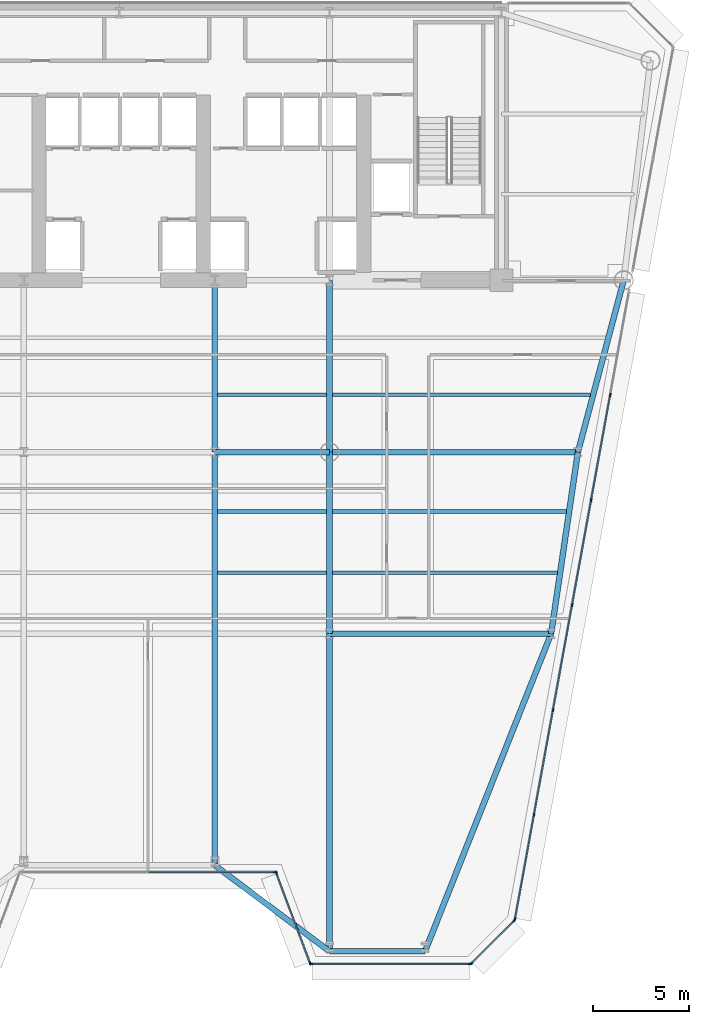
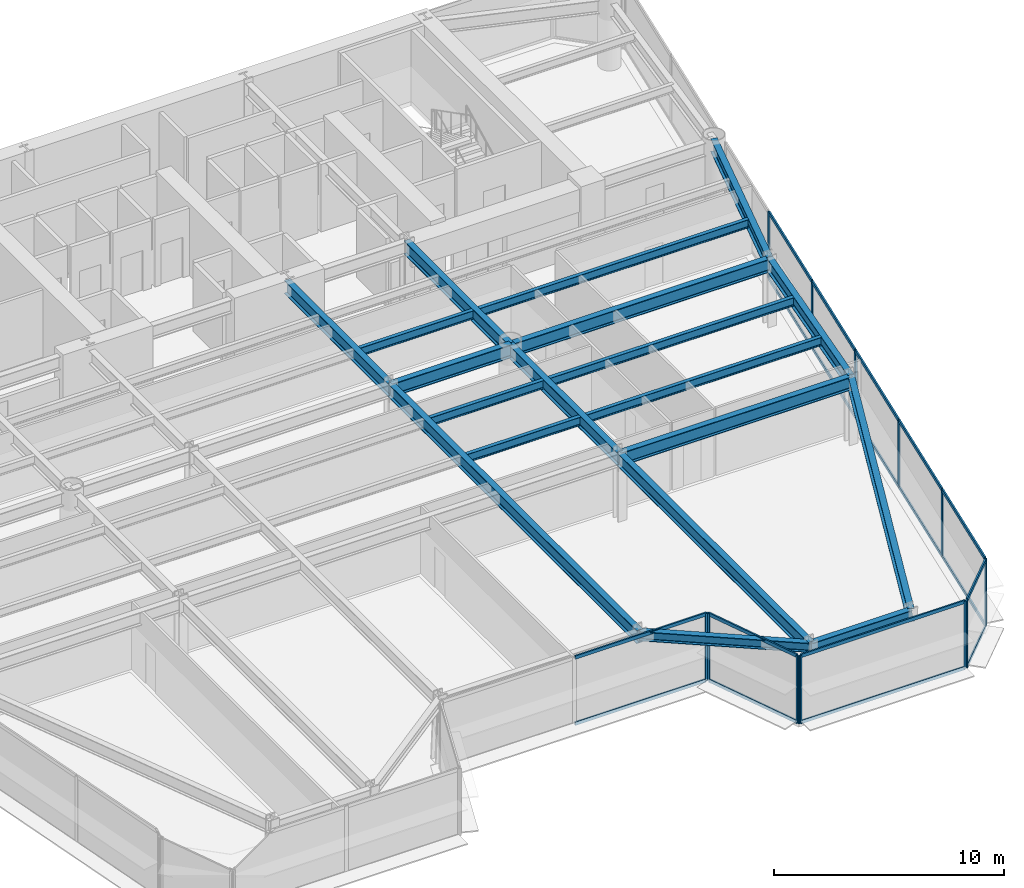
# One storey, part 4 of 14: 31 members, 19 beams, 5 elements without a shape of their own.
"""IFC4 building model written with IfcOpenShell, lengths in metres."""

from ifc_helpers import new_model, si_unit, direction, frame, origin, origin_2d, place, context, subcontext, project, spatial, rectangle, i_section, extrude, source, transform, mapped, material, layer, layer_set, material_profile, profile_set, type_object, element, aggregate, save


model = new_model("IFC4")

# Units and contexts
model_context = context("Model", 3, precision=1e-05, world=origin(), true_north=direction((0.0, 1.0)))
body_context = subcontext(model_context, "Body", "Model", "MODEL_VIEW")
ifc_project = project(units=[si_unit("LENGTHUNIT", "METRE"), si_unit("AREAUNIT", "SQUARE_METRE"), si_unit("VOLUMEUNIT", "CUBIC_METRE"), si_unit("PLANEANGLEUNIT", "RADIAN"), si_unit("MASSUNIT", "GRAM", prefix="KILO")], contexts=[model_context])

# Site, building, storey
site_placement = place(None, origin())
site = spatial("IfcSite", under=ifc_project, at=site_placement, CompositionType="ELEMENT")
building_placement = place(site_placement, origin())
building = spatial("IfcBuilding", under=site, at=building_placement, Name="Vaeldorn Concourse Tower", CompositionType="ELEMENT")
storey_placement = place(building_placement, frame((0.0, 0.0, 133.800048828125)))
storey = spatial("IfcBuildingStorey", under=building, at=storey_placement, Name="L34", CompositionType="ELEMENT", Elevation=133.800048828125)

# Beams
ifc_material_1 = material(Name="Steel S355", Category="steel")
ifc_material_profile_1 = material_profile(ifc_material_1, i_section(OverallWidth=0.300048828125, OverallDepth=0.699951171875, WebThickness=0.01708984375, FlangeThickness=0.031982421875, FilletRadius=0.027099609375, at=origin_2d()), Name="HEB 700")
ifc_profile_set_1 = profile_set([ifc_material_profile_1], Name="Steel S355")
beam_type_1 = type_object("IfcBeamType", Name="BM-PG-HEB700", PredefinedType="BEAM", material=ifc_profile_set_1)
shared_shape_1 = source(origin(), body_context, "Body", "SweptSolid", [
    extrude(i_section(OverallWidth=0.300048828125, OverallDepth=0.699951171875, WebThickness=0.01708984375, FlangeThickness=0.031982421875, FilletRadius=0.027099609375, at=origin_2d()), origin(), (0.0, 0.0, 1.0), 6.0),
])
beam_1_placement = place(storey_placement, frame((39.0, 27.5, 3.22998046875), z_axis=(1.0, 0.0, 0.0), x_axis=(0.0, 1.0, 0.0)))
element("IfcBeam", 1, at=beam_1_placement, inside=storey, type_object=beam_type_1, Name="Beam BM-L34-C-TW3-C-TW4", PredefinedType="BEAM", context=body_context, shape_type="MappedRepresentation", body=[
    mapped(shared_shape_1, transform((0.0, 0.0, 0.0), scale=1.0)),
])
shared_shape_2 = source(origin(), body_context, "Body", "SweptSolid", [
    extrude(i_section(OverallWidth=0.300048828125, OverallDepth=0.699951171875, WebThickness=0.01708984375, FlangeThickness=0.031982421875, FilletRadius=0.027099609375, at=origin_2d()), origin(), (0.0, 0.0, 1.0), 9.0),
])
for number, where, z_axis, x_axis, name in (
    (2, (39.0, 27.5, 3.22998046875), (0.0, 1.0, 0.0), (-1.0, 0.0, 0.0), "Beam BM-L34-C-TW3-C-FC4"),
    (3, (45.0, 27.5, 3.22998046875), (0.0, 1.0, 0.0), (-1.0, 0.0, 0.0), "Beam BM-L34-C-TW4-C-FC5"),
):
    element("IfcBeam", number, at=place(storey_placement, frame(where, z_axis=z_axis, x_axis=x_axis)), inside=storey, type_object=beam_type_1, Name=name, PredefinedType="BEAM", context=body_context, shape_type="MappedRepresentation", body=[
        mapped(shared_shape_2, transform((0.0, 0.0, 0.0), scale=1.0)),
    ])
shared_shape_3 = source(origin(), body_context, "Body", "SweptSolid", [
    extrude(i_section(OverallWidth=0.300048828125, OverallDepth=0.699951171875, WebThickness=0.01708984375, FlangeThickness=0.031982421875, FilletRadius=0.027099609375, at=origin_2d()), origin(), (0.0, 0.0, 1.0), 9.314453125),
])
beam_2_placement = place(storey_placement, frame((60.39990234375, 36.5, 3.22998046875), z_axis=(-0.257652862255, -0.966237549763, 0.0), x_axis=(0.966237549763, -0.257652862255, 0.0)))
element("IfcBeam", 4, at=beam_2_placement, inside=storey, type_object=beam_type_1, Name="Beam BM-L34-C-NE2-C-FLE1", PredefinedType="BEAM", context=body_context, shape_type="MappedRepresentation", body=[
    mapped(shared_shape_3, transform((0.0, 0.0, 0.0), scale=1.0)),
])
shared_shape_4 = source(origin(), body_context, "Body", "SweptSolid", [
    extrude(i_section(OverallWidth=0.300048828125, OverallDepth=0.699951171875, WebThickness=0.01708984375, FlangeThickness=0.031982421875, FilletRadius=0.027099609375, at=origin_2d()), origin(), (0.0, 0.0, 1.0), 13.0),
])
beam_3_placement = place(storey_placement, frame((45.0, 27.5, 3.22998046875), z_axis=(1.0, 0.0, 0.0), x_axis=(0.0, 1.0, 0.0)))
element("IfcBeam", 5, at=beam_3_placement, inside=storey, type_object=beam_type_1, Name="Beam BM-L34-C-TW4-C-FLE1", PredefinedType="BEAM", context=body_context, shape_type="MappedRepresentation", body=[
    mapped(shared_shape_4, transform((0.0, 0.0, 0.0), scale=1.0)),
])
ifc_material_profile_2 = material_profile(ifc_material_1, i_section(OverallWidth=0.300048828125, OverallDepth=0.5, WebThickness=0.014404296875, FlangeThickness=0.028076171875, FilletRadius=0.027099609375, at=origin_2d()), Name="HEB 500")
ifc_profile_set_2 = profile_set([ifc_material_profile_2], Name="Steel S355")
beam_type_2 = type_object("IfcBeamType", Name="BM-SP-HEB500", PredefinedType="SPANDREL", material=ifc_profile_set_2)
shared_shape_5 = source(origin(), body_context, "Body", "SweptSolid", [
    extrude(i_section(OverallWidth=0.300048828125, OverallDepth=0.5, WebThickness=0.014404296875, FlangeThickness=0.028076171875, FilletRadius=0.027099609375, at=origin_2d()), origin(), (0.0, 0.0, 1.0), 5.0),
])
beam_4_placement = place(storey_placement, frame((45.0, 1.378173828125, 3.329833984375), z_axis=(1.0, 0.0, 0.0), x_axis=(0.0, 1.0, 0.0)))
element("IfcBeam", 6, at=beam_4_placement, inside=storey, type_object=beam_type_2, Name="Beam BM-L34-C-SF5-C-SF6", PredefinedType="SPANDREL", context=body_context, shape_type="MappedRepresentation", body=[
    mapped(shared_shape_5, transform((0.0, 0.0, 0.0), scale=1.0)),
])
shared_shape_6 = source(origin(), body_context, "Body", "SweptSolid", [
    extrude(i_section(OverallWidth=0.300048828125, OverallDepth=0.5, WebThickness=0.014404296875, FlangeThickness=0.028076171875, FilletRadius=0.027099609375, at=origin_2d()), origin(), (0.0, 0.0, 1.0), 7.5),
])
beam_5_placement = place(storey_placement, frame((39.0, 5.878173828125, 3.329833984375), z_axis=(0.8, -0.6, 0.0), x_axis=(0.6, 0.8, 0.0)))
element("IfcBeam", 7, at=beam_5_placement, inside=storey, type_object=beam_type_2, Name="Beam BM-L34-C-SF4-C-SF5", PredefinedType="SPANDREL", context=body_context, shape_type="MappedRepresentation", body=[
    mapped(shared_shape_6, transform((0.0, 0.0, 0.0), scale=1.0)),
])
shared_shape_7 = source(origin(), body_context, "Body", "SweptSolid", [
    extrude(i_section(OverallWidth=0.300048828125, OverallDepth=0.699951171875, WebThickness=0.01708984375, FlangeThickness=0.031982421875, FilletRadius=0.027099609375, at=origin_2d()), origin(), (0.0, 0.0, 1.0), 9.6025390625),
])
beam_6_placement = place(storey_placement, frame((58.0, 27.5, 3.22998046875), z_axis=(-0.145783835977, -0.989316467652, 0.0), x_axis=(0.989316467652, -0.145783835977, 0.0)))
element("IfcBeam", 8, at=beam_6_placement, inside=storey, type_object=beam_type_1, Name="Beam BM-L34-C-FLE1-C-FLE2", PredefinedType="BEAM", context=body_context, shape_type="MappedRepresentation", body=[
    mapped(shared_shape_7, transform((0.0, 0.0, 0.0), scale=1.0)),
])
shared_shape_8 = source(origin(), body_context, "Body", "SweptSolid", [
    extrude(i_section(OverallWidth=0.300048828125, OverallDepth=0.699951171875, WebThickness=0.01708984375, FlangeThickness=0.031982421875, FilletRadius=0.027099609375, at=origin_2d()), origin(), (0.0, 0.0, 1.0), 11.60009765625),
])
beam_7_placement = place(storey_placement, frame((45.0, 18.0, 3.22998046875), z_axis=(1.0, 0.0, 0.0), x_axis=(0.0, 1.0, 0.0)))
element("IfcBeam", 9, at=beam_7_placement, inside=storey, type_object=beam_type_1, Name="Beam BM-L34-C-TW6-C-FLE2", PredefinedType="BEAM", context=body_context, shape_type="MappedRepresentation", body=[
    mapped(shared_shape_8, transform((0.0, 0.0, 0.0), scale=1.0)),
])
shared_shape_9 = source(origin(), body_context, "Body", "SweptSolid", [
    extrude(i_section(OverallWidth=0.300048828125, OverallDepth=0.699951171875, WebThickness=0.01708984375, FlangeThickness=0.031982421875, FilletRadius=0.027099609375, at=origin_2d()), origin(), (0.0, 0.0, 1.0), 9.5),
])
beam_8_placement = place(storey_placement, frame((45.0, 18.0, 3.22998046875), z_axis=(0.0, 1.0, 0.0), x_axis=(-1.0, 0.0, 0.0)))
element("IfcBeam", 10, at=beam_8_placement, inside=storey, type_object=beam_type_1, Name="Beam BM-L34-C-TW6-C-TW4", PredefinedType="BEAM", context=body_context, shape_type="MappedRepresentation", body=[
    mapped(shared_shape_9, transform((0.0, 0.0, 0.0), scale=1.0)),
])
ifc_material_profile_3 = material_profile(ifc_material_1, i_section(OverallWidth=0.18994140625, OverallDepth=0.449951171875, WebThickness=0.009521484375, FlangeThickness=0.0146484375, FilletRadius=0.02099609375, at=origin_2d()), Name="IPE 450")
ifc_profile_set_3 = profile_set([ifc_material_profile_3], Name="Steel S355")
beam_type_3 = type_object("IfcBeamType", Name="BM-JS-IPE450", PredefinedType="JOIST", material=ifc_profile_set_3)
shared_shape_10 = source(origin(), body_context, "Body", "SweptSolid", [
    extrude(i_section(OverallWidth=0.18994140625, OverallDepth=0.449951171875, WebThickness=0.009521484375, FlangeThickness=0.0146484375, FilletRadius=0.02099609375, at=origin_2d()), origin(), (0.0, 0.0, 1.0), 5.7001953125),
])
for number, where, z_axis, x_axis, name in (
    (11, (39.14990234375, 21.199951171875, 3.35498046875), (1.0, 0.0, 0.0), (0.0, 1.0, 0.0), "Beam JS-L34-E2-212"),
    (12, (39.14990234375, 24.39990234375, 3.35498046875), (1.0, 0.0, 0.0), (0.0, 1.0, 0.0), "Beam JS-L34-E2-244"),
    (13, (39.14990234375, 30.5, 3.35498046875), (1.0, 0.0, 0.0), (0.0, 1.0, 0.0), "Beam JS-L34-E2-305"),
):
    element("IfcBeam", number, at=place(storey_placement, frame(where, z_axis=z_axis, x_axis=x_axis)), inside=storey, type_object=beam_type_3, Name=name, PredefinedType="JOIST", context=body_context, shape_type="MappedRepresentation", body=[
        mapped(shared_shape_10, transform((0.0, 0.0, 0.0), scale=1.0)),
    ])
shared_shape_11 = source(origin(), body_context, "Body", "SweptSolid", [
    extrude(i_section(OverallWidth=0.300048828125, OverallDepth=0.699951171875, WebThickness=0.01708984375, FlangeThickness=0.031982421875, FilletRadius=0.027099609375, at=origin_2d()), origin(), (0.0, 0.0, 1.0), 17.88427734375),
])
beam_9_placement = place(storey_placement, frame((50.0, 1.378173828125, 3.22998046875), z_axis=(0.369045260184, 0.92941142447, 0.0), x_axis=(-0.92941142447, 0.369045260184, 0.0)))
element("IfcBeam", 14, at=beam_9_placement, inside=storey, type_object=beam_type_1, Name="Beam BM-L34-C-SF6-C-FLE2", PredefinedType="BEAM", context=body_context, shape_type="MappedRepresentation", body=[
    mapped(shared_shape_11, transform((0.0, 0.0, 0.0), scale=1.0)),
])
shared_shape_12 = source(origin(), body_context, "Body", "SweptSolid", [
    extrude(i_section(OverallWidth=0.300048828125, OverallDepth=0.699951171875, WebThickness=0.01708984375, FlangeThickness=0.031982421875, FilletRadius=0.027099609375, at=origin_2d()), origin(), (0.0, 0.0, 1.0), 16.621826171875),
])
beam_10_placement = place(storey_placement, frame((45.0, 1.378173828125, 3.22998046875), z_axis=(0.0, 1.0, 0.0), x_axis=(-1.0, 0.0, 0.0)))
element("IfcBeam", 15, at=beam_10_placement, inside=storey, type_object=beam_type_1, Name="Beam BM-L34-C-SF5-C-TW6", PredefinedType="BEAM", context=body_context, shape_type="MappedRepresentation", body=[
    mapped(shared_shape_12, transform((0.0, 0.0, 0.0), scale=1.0)),
])
shared_shape_13 = source(origin(), body_context, "Body", "SweptSolid", [
    extrude(i_section(OverallWidth=0.300048828125, OverallDepth=0.699951171875, WebThickness=0.01708984375, FlangeThickness=0.031982421875, FilletRadius=0.027099609375, at=origin_2d()), origin(), (0.0, 0.0, 1.0), 21.621826171875),
])
beam_11_placement = place(storey_placement, frame((39.0, 5.878173828125, 3.22998046875), z_axis=(0.0, 1.0, 0.0), x_axis=(-1.0, 0.0, 0.0)))
element("IfcBeam", 16, at=beam_11_placement, inside=storey, type_object=beam_type_1, Name="Beam BM-L34-C-SF4-C-TW3", PredefinedType="BEAM", context=body_context, shape_type="MappedRepresentation", body=[
    mapped(shared_shape_13, transform((0.0, 0.0, 0.0), scale=1.0)),
])
shared_shape_14 = source(origin(), body_context, "Body", "SweptSolid", [
    extrude(i_section(OverallWidth=0.18994140625, OverallDepth=0.449951171875, WebThickness=0.009521484375, FlangeThickness=0.0146484375, FilletRadius=0.02099609375, at=origin_2d()), origin(), (0.0, 0.0, 1.0), 11.771728515625),
])
beam_12_placement = place(storey_placement, frame((45.14990234375, 21.199951171875, 3.35498046875), z_axis=(1.0, 0.0, 0.0), x_axis=(0.0, 1.0, 0.0)))
element("IfcBeam", 17, at=beam_12_placement, inside=storey, type_object=beam_type_3, Name="Beam JS-L34-E1-212", PredefinedType="JOIST", context=body_context, shape_type="MappedRepresentation", body=[
    mapped(shared_shape_14, transform((0.0, 0.0, 0.0), scale=1.0)),
])
shared_shape_15 = source(origin(), body_context, "Body", "SweptSolid", [
    extrude(i_section(OverallWidth=0.18994140625, OverallDepth=0.449951171875, WebThickness=0.009521484375, FlangeThickness=0.0146484375, FilletRadius=0.02099609375, at=origin_2d()), origin(), (0.0, 0.0, 1.0), 12.243408203125),
])
beam_13_placement = place(storey_placement, frame((45.14990234375, 24.39990234375, 3.35498046875), z_axis=(1.0, 0.0, 0.0), x_axis=(0.0, 1.0, 0.0)))
element("IfcBeam", 18, at=beam_13_placement, inside=storey, type_object=beam_type_3, Name="Beam JS-L34-E1-244", PredefinedType="JOIST", context=body_context, shape_type="MappedRepresentation", body=[
    mapped(shared_shape_15, transform((0.0, 0.0, 0.0), scale=1.0)),
])
shared_shape_16 = source(origin(), body_context, "Body", "SweptSolid", [
    extrude(i_section(OverallWidth=0.18994140625, OverallDepth=0.449951171875, WebThickness=0.009521484375, FlangeThickness=0.0146484375, FilletRadius=0.02099609375, at=origin_2d()), origin(), (0.0, 0.0, 1.0), 13.5),
])
beam_14_placement = place(storey_placement, frame((45.14990234375, 30.5, 3.35498046875), z_axis=(1.0, 0.0, 0.0), x_axis=(0.0, 1.0, 0.0)))
element("IfcBeam", 19, at=beam_14_placement, inside=storey, type_object=beam_type_3, Name="Beam JS-L34-E1-305", PredefinedType="JOIST", context=body_context, shape_type="MappedRepresentation", body=[
    mapped(shared_shape_16, transform((0.0, 0.0, 0.0), scale=1.0)),
])

# Curtain wall, members
ifc_material_2 = material(Name="Anodised Bronze Aluminium", Category="aluminium")
ifc_layer = layer(ifc_material_2, 0.199951171875)
ifc_layer_set = layer_set([ifc_layer], Name="Anodised Bronze Aluminium")
curtain_wall_type = type_object("IfcCurtainWallType", Name="CW-SYS-02", PredefinedType="NOTDEFINED", material=ifc_layer_set)
curtain_wall_1_placement = place(storey_placement, origin())
curtain_wall_1 = element("IfcCurtainWall", 20, at=curtain_wall_1_placement, inside=storey, type_object=curtain_wall_type, Name="Unitised Curtain Wall CW-L34-E03-1", PredefinedType="NOTDEFINED")
ifc_material_profile_4 = material_profile(ifc_material_2, rectangle(XDim=0.074951171875, YDim=0.179931640625, at=origin_2d()), Name="CWT 75x180")
ifc_profile_set_4 = profile_set([ifc_material_profile_4], Name="Anodised Bronze Aluminium")
member_type_1 = type_object("IfcMemberType", Name="CWT-BRONZE-180", PredefinedType="USERDEFINED", material=ifc_profile_set_4)
shared_shape_17 = source(origin(), body_context, "Body", "SweptSolid", [
    extrude(rectangle(XDim=0.074951171875, YDim=0.179931640625, at=origin_2d()), origin(), (0.0, 0.0, 1.0), 6.58740234375),
])
member_1_placement = place(storey_placement, frame((35.53759765625, 5.51708984375, 0.037353515625), z_axis=(1.0, 0.0, 0.0), x_axis=(0.0, 1.0, 0.0)))
member_1 = element("IfcMember", 21, at=member_1_placement, type_object=member_type_1, Name="CW-02 transom 2.1", ObjectType="TRANSOM", PredefinedType="USERDEFINED", context=body_context, shape_type="MappedRepresentation", body=[
    mapped(shared_shape_17, transform((0.0, 0.0, 0.0), scale=1.0)),
])
member_2_placement = place(storey_placement, frame((35.53759765625, 5.51708984375, 3.54248046875), z_axis=(1.0, 0.0, 0.0), x_axis=(0.0, 1.0, 0.0)))
member_2 = element("IfcMember", 22, at=member_2_placement, type_object=member_type_1, Name="CW-02 transom 2.2", ObjectType="TRANSOM", PredefinedType="USERDEFINED", context=body_context, shape_type="MappedRepresentation", body=[
    mapped(shared_shape_17, transform((0.0, 0.0, 0.0), scale=1.0)),
])

curtain_wall_2_placement = place(storey_placement, origin())
curtain_wall_2 = element("IfcCurtainWall", 23, at=curtain_wall_2_placement, inside=storey, type_object=curtain_wall_type, Name="Unitised Curtain Wall CW-L34-E04-1", PredefinedType="NOTDEFINED")
shared_shape_18 = source(origin(), body_context, "Body", "SweptSolid", [
    extrude(rectangle(XDim=0.074951171875, YDim=0.179931640625, at=origin_2d()), origin(), (0.0, 0.0, 1.0), 4.9765625),
])
member_3_placement = place(storey_placement, frame((42.226318359375, 5.447021484375, 0.037353515625), z_axis=(0.351112688987, -0.936333209724, 0.0), x_axis=(0.936333209724, 0.351112688987, 0.0)))
member_3 = element("IfcMember", 24, at=member_3_placement, type_object=member_type_1, Name="CW-02 transom 1.1", ObjectType="TRANSOM", PredefinedType="USERDEFINED", context=body_context, shape_type="MappedRepresentation", body=[
    mapped(shared_shape_18, transform((0.0, 0.0, 0.0), scale=1.0)),
])
member_4_placement = place(storey_placement, frame((42.226318359375, 5.447021484375, 3.54248046875), z_axis=(0.351112688987, -0.936333209724, 0.0), x_axis=(0.936333209724, 0.351112688987, 0.0)))
member_4 = element("IfcMember", 25, at=member_4_placement, type_object=member_type_1, Name="CW-02 transom 1.2", ObjectType="TRANSOM", PredefinedType="USERDEFINED", context=body_context, shape_type="MappedRepresentation", body=[
    mapped(shared_shape_18, transform((0.0, 0.0, 0.0), scale=1.0)),
])

curtain_wall_3_placement = place(storey_placement, origin())
curtain_wall_3 = element("IfcCurtainWall", 26, at=curtain_wall_3_placement, inside=storey, type_object=curtain_wall_type, Name="Unitised Curtain Wall CW-L34-E06-1", PredefinedType="NOTDEFINED")
shared_shape_19 = source(origin(), body_context, "Body", "SweptSolid", [
    extrude(rectangle(XDim=0.074951171875, YDim=0.179931640625, at=origin_2d()), origin(), (0.0, 0.0, 1.0), 3.1025390625),
])
member_5_placement = place(storey_placement, frame((52.456298828125, 0.770263671875, 0.037353515625), z_axis=(0.707106781187, 0.707106781187, 0.0), x_axis=(-0.707106781187, 0.707106781187, 0.0)))
member_5 = element("IfcMember", 27, at=member_5_placement, type_object=member_type_1, Name="CW-02 transom 1.1", ObjectType="TRANSOM", PredefinedType="USERDEFINED", context=body_context, shape_type="MappedRepresentation", body=[
    mapped(shared_shape_19, transform((0.0, 0.0, 0.0), scale=1.0)),
])
member_6_placement = place(storey_placement, frame((52.456298828125, 0.770263671875, 3.54248046875), z_axis=(0.707106781187, 0.707106781187, 0.0), x_axis=(-0.707106781187, 0.707106781187, 0.0)))
member_6 = element("IfcMember", 28, at=member_6_placement, type_object=member_type_1, Name="CW-02 transom 1.2", ObjectType="TRANSOM", PredefinedType="USERDEFINED", context=body_context, shape_type="MappedRepresentation", body=[
    mapped(shared_shape_19, transform((0.0, 0.0, 0.0), scale=1.0)),
])

curtain_wall_4_placement = place(storey_placement, origin())
curtain_wall_4 = element("IfcCurtainWall", 29, at=curtain_wall_4_placement, inside=storey, type_object=curtain_wall_type, Name="Unitised Curtain Wall CW-L34-E05-1", PredefinedType="NOTDEFINED")
shared_shape_20 = source(origin(), body_context, "Body", "SweptSolid", [
    extrude(rectangle(XDim=0.074951171875, YDim=0.179931640625, at=origin_2d()), origin(), (0.0, 0.0, 1.0), 8.25341796875),
])
member_7_placement = place(storey_placement, frame((44.074951171875, 0.71728515625, 0.037353515625), z_axis=(1.0, 0.0, 0.0), x_axis=(0.0, 1.0, 0.0)))
member_7 = element("IfcMember", 30, at=member_7_placement, type_object=member_type_1, Name="CW-02 transom 1.1", ObjectType="TRANSOM", PredefinedType="USERDEFINED", context=body_context, shape_type="MappedRepresentation", body=[
    mapped(shared_shape_20, transform((0.0, 0.0, 0.0), scale=1.0)),
])
member_8_placement = place(storey_placement, frame((44.074951171875, 0.71728515625, 3.54248046875), z_axis=(1.0, 0.0, 0.0), x_axis=(0.0, 1.0, 0.0)))
member_8 = element("IfcMember", 31, at=member_8_placement, type_object=member_type_1, Name="CW-02 transom 1.2", ObjectType="TRANSOM", PredefinedType="USERDEFINED", context=body_context, shape_type="MappedRepresentation", body=[
    mapped(shared_shape_20, transform((0.0, 0.0, 0.0), scale=1.0)),
])

# Member
ifc_material_profile_5 = material_profile(ifc_material_2, rectangle(XDim=0.074951171875, YDim=0.18994140625, at=origin_2d()), Name="CWM 75x190")
ifc_profile_set_5 = profile_set([ifc_material_profile_5], Name="Anodised Bronze Aluminium")
member_type_2 = type_object("IfcMemberType", Name="CWM-BRONZE-190", PredefinedType="MULLION", material=ifc_profile_set_5)
shared_shape_21 = source(origin(), body_context, "Body", "SweptSolid", [
    extrude(rectangle(XDim=0.074951171875, YDim=0.18994140625, at=origin_2d()), origin(), (0.0, 0.0, 1.0), 3.579833984375),
])
member_9_placement = place(storey_placement, frame((42.16259765625, 5.51708984375, 0.0), z_axis=(0.0, 0.0, 1.0), x_axis=(0.0, 1.0, 0.0)))
member_9 = element("IfcMember", 32, at=member_9_placement, type_object=member_type_2, Name="CW-02 mullion 3", PredefinedType="MULLION", context=body_context, shape_type="MappedRepresentation", body=[
    mapped(shared_shape_21, transform((0.0, 0.0, 0.0), scale=1.0)),
])

aggregate(curtain_wall_1, [member_9, member_1, member_2])

member_10_placement = place(storey_placement, frame((42.213134765625, 5.482177734375, 0.0), z_axis=(0.0, 0.0, 1.0), x_axis=(0.936329177566, 0.351123441595, 0.0)))
member_10 = element("IfcMember", 33, at=member_10_placement, type_object=member_type_2, Name="CW-02 mullion 1", PredefinedType="MULLION", context=body_context, shape_type="MappedRepresentation", body=[
    mapped(shared_shape_21, transform((0.0, 0.0, 0.0), scale=1.0)),
])

member_11_placement = place(storey_placement, frame((43.98681640625, 0.752197265625, 0.0), z_axis=(0.0, 0.0, 1.0), x_axis=(0.936329177566, 0.351123441595, 0.0)))
member_11 = element("IfcMember", 34, at=member_11_placement, type_object=member_type_2, Name="CW-02 mullion 2", PredefinedType="MULLION", context=body_context, shape_type="MappedRepresentation", body=[
    mapped(shared_shape_21, transform((0.0, 0.0, 0.0), scale=1.0)),
])

aggregate(curtain_wall_2, [member_10, member_11, member_3, member_4])

member_12_placement = place(storey_placement, frame((44.03759765625, 0.71728515625, 0.0), z_axis=(0.0, 0.0, 1.0), x_axis=(0.0, 1.0, 0.0)))
member_12 = element("IfcMember", 35, at=member_12_placement, type_object=member_type_2, Name="CW-02 mullion 1", PredefinedType="MULLION", context=body_context, shape_type="MappedRepresentation", body=[
    mapped(shared_shape_21, transform((0.0, 0.0, 0.0), scale=1.0)),
])

member_13_placement = place(storey_placement, frame((52.36572265625, 0.71728515625, 0.0), z_axis=(0.0, 0.0, 1.0), x_axis=(0.0, 1.0, 0.0)))
member_13 = element("IfcMember", 36, at=member_13_placement, type_object=member_type_2, Name="CW-02 mullion 2", PredefinedType="MULLION", context=body_context, shape_type="MappedRepresentation", body=[
    mapped(shared_shape_21, transform((0.0, 0.0, 0.0), scale=1.0)),
])

aggregate(curtain_wall_4, [member_12, member_13, member_7, member_8])

member_14_placement = place(storey_placement, frame((52.429931640625, 0.74365234375, 0.0), z_axis=(0.0, 0.0, 1.0), x_axis=(-0.707106781187, 0.707106781187, 0.0)))
member_14 = element("IfcMember", 37, at=member_14_placement, type_object=member_type_2, Name="CW-02 mullion 1", PredefinedType="MULLION", context=body_context, shape_type="MappedRepresentation", body=[
    mapped(shared_shape_21, transform((0.0, 0.0, 0.0), scale=1.0)),
])

member_15_placement = place(storey_placement, frame((54.6767578125, 2.99072265625, 0.0), z_axis=(0.0, 0.0, 1.0), x_axis=(-0.707106781187, 0.707106781187, 0.0)))
member_15 = element("IfcMember", 38, at=member_15_placement, type_object=member_type_2, Name="CW-02 mullion 2", PredefinedType="MULLION", context=body_context, shape_type="MappedRepresentation", body=[
    mapped(shared_shape_21, transform((0.0, 0.0, 0.0), scale=1.0)),
])

aggregate(curtain_wall_3, [member_14, member_15, member_5, member_6])

# Curtain wall, members
curtain_wall_5_placement = place(storey_placement, origin())
curtain_wall_5 = element("IfcCurtainWall", 39, at=curtain_wall_5_placement, inside=storey, type_object=curtain_wall_type, Name="Unitised Curtain Wall CW-L34-E07-1", PredefinedType="NOTDEFINED")
member_16_placement = place(storey_placement, frame((54.7099609375, 3.05419921875, 0.0), z_axis=(0.0, 0.0, 1.0), x_axis=(-0.983905086808, 0.178691858108, 0.0)))
member_16 = element("IfcMember", 40, at=member_16_placement, type_object=member_type_2, Name="CW-02 mullion 1", PredefinedType="MULLION", context=body_context, shape_type="MappedRepresentation", body=[
    mapped(shared_shape_21, transform((0.0, 0.0, 0.0), scale=1.0)),
])
member_17_placement = place(storey_placement, frame((55.701171875, 8.51123046875, 0.0), z_axis=(0.0, 0.0, 1.0), x_axis=(-0.983905086808, 0.178691858108, 0.0)))
member_17 = element("IfcMember", 41, at=member_17_placement, type_object=member_type_2, Name="CW-02 mullion 2", PredefinedType="MULLION", context=body_context, shape_type="MappedRepresentation", body=[
    mapped(shared_shape_21, transform((0.0, 0.0, 0.0), scale=1.0)),
])
member_18_placement = place(storey_placement, frame((56.698974609375, 14.00537109375, 0.0), z_axis=(0.0, 0.0, 1.0), x_axis=(-0.983905086808, 0.178691858108, 0.0)))
member_18 = element("IfcMember", 42, at=member_18_placement, type_object=member_type_2, Name="CW-02 mullion 3", PredefinedType="MULLION", context=body_context, shape_type="MappedRepresentation", body=[
    mapped(shared_shape_21, transform((0.0, 0.0, 0.0), scale=1.0)),
])
member_19_placement = place(storey_placement, frame((57.69677734375, 19.49951171875, 0.0), z_axis=(0.0, 0.0, 1.0), x_axis=(-0.983905086808, 0.178691858108, 0.0)))
member_19 = element("IfcMember", 43, at=member_19_placement, type_object=member_type_2, Name="CW-02 mullion 4", PredefinedType="MULLION", context=body_context, shape_type="MappedRepresentation", body=[
    mapped(shared_shape_21, transform((0.0, 0.0, 0.0), scale=1.0)),
])
member_20_placement = place(storey_placement, frame((58.694580078125, 24.99365234375, 0.0), z_axis=(0.0, 0.0, 1.0), x_axis=(-0.983905086808, 0.178691858108, 0.0)))
member_20 = element("IfcMember", 44, at=member_20_placement, type_object=member_type_2, Name="CW-02 mullion 5", PredefinedType="MULLION", context=body_context, shape_type="MappedRepresentation", body=[
    mapped(shared_shape_21, transform((0.0, 0.0, 0.0), scale=1.0)),
])
member_21_placement = place(storey_placement, frame((59.6923828125, 30.48779296875, 0.0), z_axis=(0.0, 0.0, 1.0), x_axis=(-0.983905086808, 0.178691858108, 0.0)))
member_21 = element("IfcMember", 45, at=member_21_placement, type_object=member_type_2, Name="CW-02 mullion 6", PredefinedType="MULLION", context=body_context, shape_type="MappedRepresentation", body=[
    mapped(shared_shape_21, transform((0.0, 0.0, 0.0), scale=1.0)),
])
shared_shape_22 = source(origin(), body_context, "Body", "SweptSolid", [
    extrude(rectangle(XDim=0.074951171875, YDim=0.179931640625, at=origin_2d()), origin(), (0.0, 0.0, 1.0), 5.471435546875),
])
member_22_placement = place(storey_placement, frame((54.716796875, 3.091064453125, 0.037353515625), z_axis=(0.178665537686, 0.983909866626, 0.0), x_axis=(-0.983909866626, 0.178665537686, 0.0)))
member_22 = element("IfcMember", 46, at=member_22_placement, type_object=member_type_1, Name="CW-02 transom 1.1", ObjectType="TRANSOM", PredefinedType="USERDEFINED", context=body_context, shape_type="MappedRepresentation", body=[
    mapped(shared_shape_22, transform((0.0, 0.0, 0.0), scale=1.0)),
])
member_23_placement = place(storey_placement, frame((54.716796875, 3.091064453125, 3.54248046875), z_axis=(0.178665537686, 0.983909866626, 0.0), x_axis=(-0.983909866626, 0.178665537686, 0.0)))
member_23 = element("IfcMember", 47, at=member_23_placement, type_object=member_type_1, Name="CW-02 transom 1.2", ObjectType="TRANSOM", PredefinedType="USERDEFINED", context=body_context, shape_type="MappedRepresentation", body=[
    mapped(shared_shape_22, transform((0.0, 0.0, 0.0), scale=1.0)),
])
shared_shape_23 = source(origin(), body_context, "Body", "SweptSolid", [
    extrude(rectangle(XDim=0.074951171875, YDim=0.179931640625, at=origin_2d()), origin(), (0.0, 0.0, 1.0), 5.5087890625),
])
member_24_placement = place(storey_placement, frame((55.707763671875, 8.54833984375, 0.037353515625), z_axis=(0.178690435204, 0.983905345227, 0.0), x_axis=(-0.983905345227, 0.178690435204, 0.0)))
member_24 = element("IfcMember", 48, at=member_24_placement, type_object=member_type_1, Name="CW-02 transom 2.1", ObjectType="TRANSOM", PredefinedType="USERDEFINED", context=body_context, shape_type="MappedRepresentation", body=[
    mapped(shared_shape_23, transform((0.0, 0.0, 0.0), scale=1.0)),
])
member_25_placement = place(storey_placement, frame((55.707763671875, 8.54833984375, 3.54248046875), z_axis=(0.178690435204, 0.983905345227, 0.0), x_axis=(-0.983905345227, 0.178690435204, 0.0)))
member_25 = element("IfcMember", 49, at=member_25_placement, type_object=member_type_1, Name="CW-02 transom 2.2", ObjectType="TRANSOM", PredefinedType="USERDEFINED", context=body_context, shape_type="MappedRepresentation", body=[
    mapped(shared_shape_23, transform((0.0, 0.0, 0.0), scale=1.0)),
])
member_26_placement = place(storey_placement, frame((56.70556640625, 14.04248046875, 0.037353515625), z_axis=(0.178690435204, 0.983905345227, 0.0), x_axis=(-0.983905345227, 0.178690435204, 0.0)))
member_26 = element("IfcMember", 50, at=member_26_placement, type_object=member_type_1, Name="CW-02 transom 3.1", ObjectType="TRANSOM", PredefinedType="USERDEFINED", context=body_context, shape_type="MappedRepresentation", body=[
    mapped(shared_shape_23, transform((0.0, 0.0, 0.0), scale=1.0)),
])
member_27_placement = place(storey_placement, frame((56.70556640625, 14.04248046875, 3.54248046875), z_axis=(0.178690435204, 0.983905345227, 0.0), x_axis=(-0.983905345227, 0.178690435204, 0.0)))
member_27 = element("IfcMember", 51, at=member_27_placement, type_object=member_type_1, Name="CW-02 transom 3.2", ObjectType="TRANSOM", PredefinedType="USERDEFINED", context=body_context, shape_type="MappedRepresentation", body=[
    mapped(shared_shape_23, transform((0.0, 0.0, 0.0), scale=1.0)),
])
shared_shape_24 = source(origin(), body_context, "Body", "SweptSolid", [
    extrude(rectangle(XDim=0.074951171875, YDim=0.179931640625, at=origin_2d()), origin(), (0.0, 0.0, 1.0), 5.509033203125),
])
member_28_placement = place(storey_placement, frame((57.703369140625, 19.536376953125, 0.037353515625), z_axis=(0.178682643781, 0.983906760223, 0.0), x_axis=(-0.983906760223, 0.178682643781, 0.0)))
member_28 = element("IfcMember", 52, at=member_28_placement, type_object=member_type_1, Name="CW-02 transom 4.1", ObjectType="TRANSOM", PredefinedType="USERDEFINED", context=body_context, shape_type="MappedRepresentation", body=[
    mapped(shared_shape_24, transform((0.0, 0.0, 0.0), scale=1.0)),
])
member_29_placement = place(storey_placement, frame((57.703369140625, 19.536376953125, 3.54248046875), z_axis=(0.178682643781, 0.983906760223, 0.0), x_axis=(-0.983906760223, 0.178682643781, 0.0)))
member_29 = element("IfcMember", 53, at=member_29_placement, type_object=member_type_1, Name="CW-02 transom 4.2", ObjectType="TRANSOM", PredefinedType="USERDEFINED", context=body_context, shape_type="MappedRepresentation", body=[
    mapped(shared_shape_24, transform((0.0, 0.0, 0.0), scale=1.0)),
])
member_30_placement = place(storey_placement, frame((58.701171875, 25.030517578125, 0.037353515625), z_axis=(0.1787255445, 0.98389896826, 0.0), x_axis=(-0.98389896826, 0.1787255445, 0.0)))
member_30 = element("IfcMember", 54, at=member_30_placement, type_object=member_type_1, Name="CW-02 transom 5.1", ObjectType="TRANSOM", PredefinedType="USERDEFINED", context=body_context, shape_type="MappedRepresentation", body=[
    mapped(shared_shape_24, transform((0.0, 0.0, 0.0), scale=1.0)),
])
member_31_placement = place(storey_placement, frame((58.701171875, 25.030517578125, 3.54248046875), z_axis=(0.1787255445, 0.98389896826, 0.0), x_axis=(-0.98389896826, 0.1787255445, 0.0)))
member_31 = element("IfcMember", 55, at=member_31_placement, type_object=member_type_1, Name="CW-02 transom 5.2", ObjectType="TRANSOM", PredefinedType="USERDEFINED", context=body_context, shape_type="MappedRepresentation", body=[
    mapped(shared_shape_24, transform((0.0, 0.0, 0.0), scale=1.0)),
])
aggregate(curtain_wall_5, [member_16, member_17, member_18, member_19, member_20, member_21, member_22, member_23, member_24, member_25, member_26, member_27, member_28, member_29, member_30, member_31])

save(model, "model.ifc")
